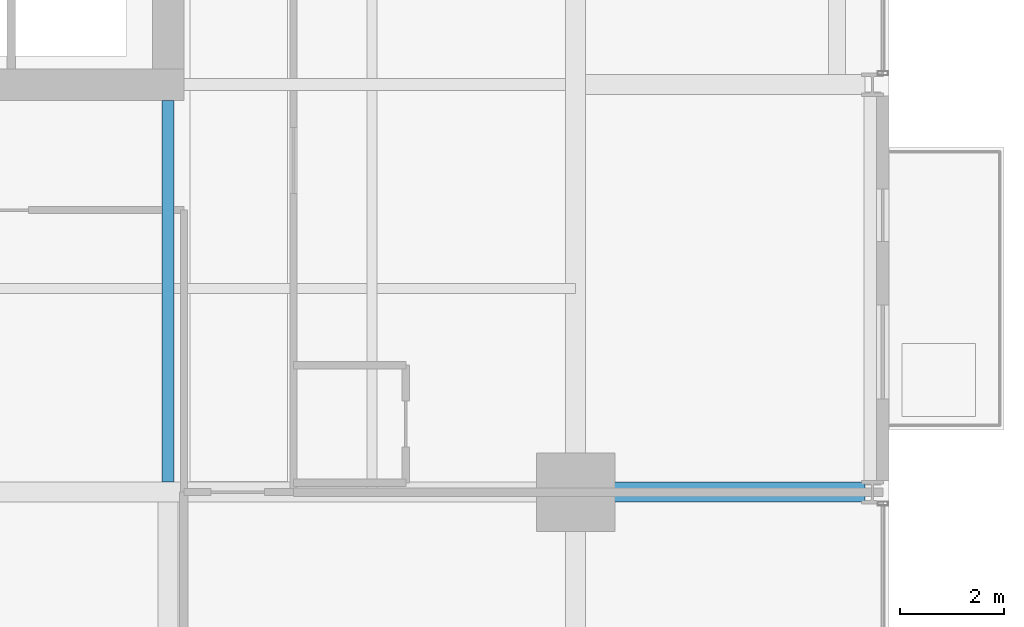
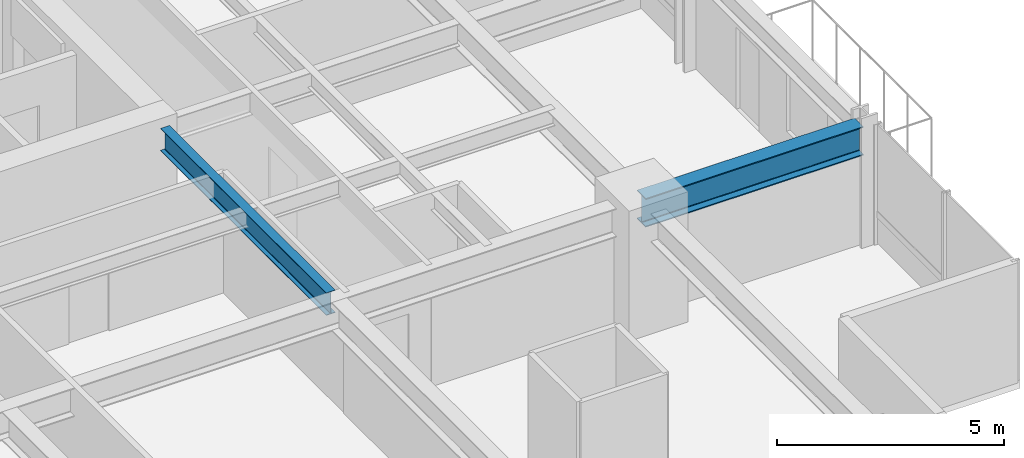
# One storey, part 12 of 34: 2 beams.
"""IFC4 building model written with IfcOpenShell, lengths in metres."""

from ifc_helpers import new_model, si_unit, direction, frame, origin, origin_2d, place, context, subcontext, project, spatial, i_section, extrude, material, material_profile, profile_set, type_object, element, save


model = new_model("IFC4")

# Units and contexts
model_context = context("Model", 3, precision=1e-05, world=origin(), true_north=direction((0.0, 1.0)))
body_context = subcontext(model_context, "Body", "Model", "MODEL_VIEW")
ifc_project = project(units=[si_unit("LENGTHUNIT", "METRE"), si_unit("AREAUNIT", "SQUARE_METRE"), si_unit("VOLUMEUNIT", "CUBIC_METRE"), si_unit("PLANEANGLEUNIT", "RADIAN"), si_unit("MASSUNIT", "GRAM", prefix="KILO")], contexts=[model_context])

# Site, building, storey
site_placement = place(None, origin())
site = spatial("IfcSite", under=ifc_project, at=site_placement, CompositionType="ELEMENT")
building_placement = place(site_placement, origin())
building = spatial("IfcBuilding", under=site, at=building_placement, Name="Drelvath Grand Hotel", CompositionType="ELEMENT")
storey_placement = place(building_placement, frame((0.0, 0.0, 116.300048828125)))
storey = spatial("IfcBuildingStorey", under=building, at=storey_placement, Name="L29", CompositionType="ELEMENT", Elevation=116.300048828125)

# Beams
ifc_material = material(Name="Steel ASTM A992 Gr 50", Category="steel")
ifc_material_profile_1 = material_profile(ifc_material, i_section(OverallWidth=0.228271484375, OverallDepth=0.607666015625, WebThickness=0.01123046875, FlangeThickness=0.017333984375, FilletRadius=0.02001953125, at=origin_2d()), Name="W24X76")
ifc_profile_set_1 = profile_set([ifc_material_profile_1], Name="Steel ASTM A992 Gr 50")
beam_type_1 = type_object("IfcBeamType", Name="Primary Floor Girder W24X76", PredefinedType="BEAM", material=ifc_profile_set_1)
beam_1_placement = place(storey_placement, frame((8.39990234375, 10.990234375, 2.93603515625), z_axis=(0.0, 1.0, 0.0), x_axis=(-1.0, 0.0, 0.0)))
element("IfcBeam", 1, at=beam_1_placement, inside=storey, type_object=beam_type_1, Name="L29 South Core Tie 6", PredefinedType="BEAM", context=body_context, shape_type="SweptSolid", body=[
    extrude(i_section(OverallWidth=0.228271484375, OverallDepth=0.607666015625, WebThickness=0.01123046875, FlangeThickness=0.017333984375, FilletRadius=0.02001953125, at=origin_2d()), origin(), (0.0, 0.0, 1.0), 7.309814453125),
])
ifc_material_profile_2 = material_profile(ifc_material, i_section(OverallWidth=0.380615234375, OverallDepth=0.773193359375, WebThickness=0.0166015625, FlangeThickness=0.027099609375, FilletRadius=0.02490234375, at=origin_2d()), Name="W30X173")
ifc_profile_set_2 = profile_set([ifc_material_profile_2], Name="Steel ASTM A992 Gr 50")
beam_type_2 = type_object("IfcBeamType", Name="Primary Floor Girder W30X173", PredefinedType="BEAM", material=ifc_profile_set_2)
beam_2_placement = place(storey_placement, frame((16.199951171875, 10.800048828125, 2.853271484375), z_axis=(1.0, 0.0, 0.0), x_axis=(0.0, 1.0, 0.0)))
element("IfcBeam", 2, at=beam_2_placement, inside=storey, type_object=beam_type_2, Name="L29 East Grid Girder C", PredefinedType="BEAM", context=body_context, shape_type="SweptSolid", body=[
    extrude(i_section(OverallWidth=0.380615234375, OverallDepth=0.773193359375, WebThickness=0.0166015625, FlangeThickness=0.027099609375, FilletRadius=0.02490234375, at=origin_2d()), origin(), (0.0, 0.0, 1.0), 5.5400390625),
])

save(model, "model.ifc")
